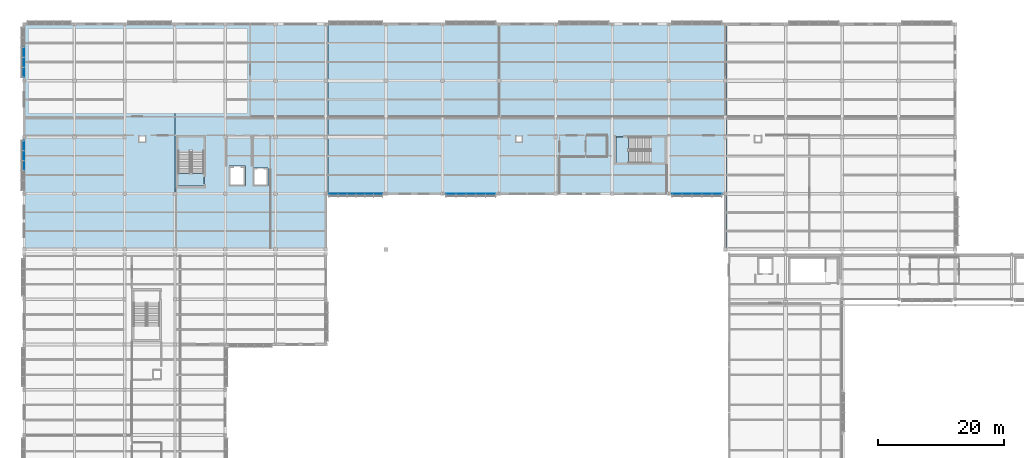
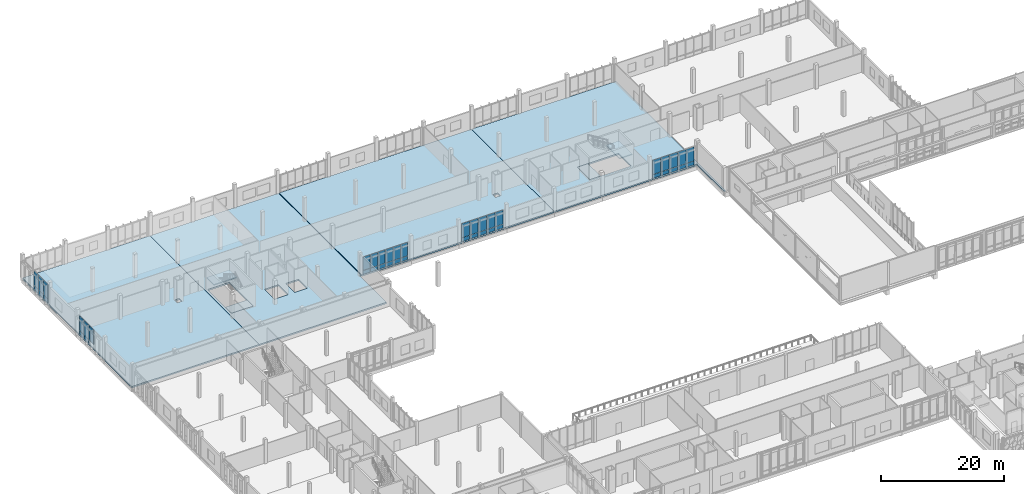
# One storey, part 137 of 177: 43 plates, 8 slabs, 7 elements without a shape of their own.
"""IFC4 building model written with IfcOpenShell, lengths in metres."""

from ifc_helpers import new_model, si_unit, direction, frame, origin, origin_2d, place, context, subcontext, project, spatial, polyline, rectangle, outline, extrude, material, layer, layer_set, type_object, element, aggregate, save


model = new_model("IFC4")

# Units and contexts
model_context = context("Model", 3, precision=1e-05, world=origin(), true_north=direction((0.0, 1.0)))
body_context = subcontext(model_context, "Body", "Model", "MODEL_VIEW")
ifc_project = project(units=[si_unit("LENGTHUNIT", "METRE"), si_unit("AREAUNIT", "SQUARE_METRE"), si_unit("VOLUMEUNIT", "CUBIC_METRE"), si_unit("PLANEANGLEUNIT", "RADIAN"), si_unit("MASSUNIT", "GRAM", prefix="KILO")], contexts=[model_context])

# Site, building, storey
site_placement = place(None, origin())
site = spatial("IfcSite", under=ifc_project, at=site_placement, CompositionType="ELEMENT")
building_placement = place(site_placement, origin())
building = spatial("IfcBuilding", under=site, at=building_placement, Name="Chiffa Square Polytechnic", CompositionType="ELEMENT")
storey_placement = place(building_placement, frame((0.0, 0.0, 4.800048828125)))
storey = spatial("IfcBuildingStorey", under=building, at=storey_placement, Name="L01", CompositionType="ELEMENT", Elevation=4.800048828125)

# Curtain wall, plates
ifc_material_1 = material(Name="Aluminium EN AW-6060 T66 and glulam shading", Category="wood")
curtain_wall_type_1 = type_object("IfcCurtainWallType", Name="CW-VERT-600X440", PredefinedType="USERDEFINED", material=ifc_material_1)
curtain_wall_1_placement = place(storey_placement, origin())
curtain_wall_1 = element("IfcCurtainWall", 1, at=curtain_wall_1_placement, inside=storey, type_object=curtain_wall_type_1, Name="Curtain wall CW-V5-L01-201", ObjectType="CURTAIN WALL", PredefinedType="USERDEFINED")
ifc_material_2 = material(Name="Double glazing", Category="glass")
ifc_layer_1 = layer(ifc_material_2, 0.0419921875, Name="Double glazing")
ifc_layer_set_1 = layer_set([ifc_layer_1], Name="Double glazing")
plate_type_1 = type_object("IfcPlateType", Name="CWP-GLZ-136X122", PredefinedType="CURTAIN_PANEL", material=ifc_layer_set_1)
plate_1_placement = place(storey_placement, frame((103.943115234375, 103.800048828125, 0.84033203125), z_axis=(0.0, 0.0, 1.0), x_axis=(1.0, 0.0, 0.0)))
plate_1 = element("IfcPlate", 2, at=plate_1_placement, type_object=plate_type_1, Name="Glazed curtain panel CW-V5-L01-201-PN01", PredefinedType="CURTAIN_PANEL", context=body_context, shape_type="SweptSolid", body=[
    extrude(rectangle(XDim=1.510009765625, YDim=0.0419921875, at=origin_2d()), origin(), (0.0, 0.0, 1.0), 2.824951171875),
])
plate_2_placement = place(storey_placement, frame((105.51611328125, 103.800048828125, 0.84033203125), z_axis=(0.0, 0.0, 1.0), x_axis=(1.0, 0.0, 0.0)))
plate_2 = element("IfcPlate", 3, at=plate_2_placement, type_object=plate_type_1, Name="Glazed curtain panel CW-V5-L01-201-PN02", PredefinedType="CURTAIN_PANEL", context=body_context, shape_type="SweptSolid", body=[
    extrude(rectangle(XDim=1.531982421875, YDim=0.0419921875, at=origin_2d()), origin(), (0.0, 0.0, 1.0), 2.824951171875),
])
plate_3_placement = place(storey_placement, frame((107.10009765625, 103.800048828125, 0.84033203125), z_axis=(0.0, 0.0, 1.0), x_axis=(1.0, 0.0, 0.0)))
plate_3 = element("IfcPlate", 4, at=plate_3_placement, type_object=plate_type_1, Name="Glazed curtain panel CW-V5-L01-201-PN03", PredefinedType="CURTAIN_PANEL", context=body_context, shape_type="SweptSolid", body=[
    extrude(rectangle(XDim=1.531982421875, YDim=0.0419921875, at=origin_2d()), origin(), (0.0, 0.0, 1.0), 2.824951171875),
])
plate_4_placement = place(storey_placement, frame((108.68408203125, 103.800048828125, 0.84033203125), z_axis=(0.0, 0.0, 1.0), x_axis=(1.0, 0.0, 0.0)))
plate_4 = element("IfcPlate", 5, at=plate_4_placement, type_object=plate_type_1, Name="Glazed curtain panel CW-V5-L01-201-PN04", PredefinedType="CURTAIN_PANEL", context=body_context, shape_type="SweptSolid", body=[
    extrude(rectangle(XDim=1.531982421875, YDim=0.0419921875, at=origin_2d()), origin(), (0.0, 0.0, 1.0), 2.824951171875),
])
plate_5_placement = place(storey_placement, frame((110.257080078125, 103.800048828125, 0.84033203125), z_axis=(0.0, 0.0, 1.0), x_axis=(1.0, 0.0, 0.0)))
plate_5 = element("IfcPlate", 6, at=plate_5_placement, type_object=plate_type_1, Name="Glazed curtain panel CW-V5-L01-201-PN05", PredefinedType="CURTAIN_PANEL", context=body_context, shape_type="SweptSolid", body=[
    extrude(rectangle(XDim=1.510009765625, YDim=0.0419921875, at=origin_2d()), origin(), (0.0, 0.0, 1.0), 2.824951171875),
])

curtain_wall_type_2 = type_object("IfcCurtainWallType", Name="CW-VERT-450X440", PredefinedType="USERDEFINED", material=ifc_material_1)
curtain_wall_2_placement = place(storey_placement, origin())
curtain_wall_2 = element("IfcCurtainWall", 7, at=curtain_wall_2_placement, inside=storey, type_object=curtain_wall_type_2, Name="Curtain wall CW-V5-L01-200", ObjectType="CURTAIN WALL", PredefinedType="USERDEFINED")
ifc_layer_2 = layer(ifc_material_2, 0.0419921875, Name="Double glazing")
ifc_layer_set_2 = layer_set([ifc_layer_2], Name="Double glazing")
plate_type_2 = type_object("IfcPlateType", Name="CWP-GLZ-138X126", PredefinedType="CURTAIN_PANEL", material=ifc_layer_set_2)
plate_6_placement = place(storey_placement, frame((67.943115234375, 103.800048828125, 0.84033203125), z_axis=(0.0, 0.0, 1.0), x_axis=(1.0, 0.0, 0.0)))
plate_6 = element("IfcPlate", 8, at=plate_6_placement, type_object=plate_type_2, Name="Glazed curtain panel CW-V5-L01-200-PN01", PredefinedType="CURTAIN_PANEL", context=body_context, shape_type="SweptSolid", body=[
    extrude(rectangle(XDim=1.510009765625, YDim=0.0419921875, at=origin_2d()), origin(), (0.0, 0.0, 1.0), 2.824951171875),
])
plate_7_placement = place(storey_placement, frame((69.51611328125, 103.800048828125, 0.84033203125), z_axis=(0.0, 0.0, 1.0), x_axis=(1.0, 0.0, 0.0)))
plate_7 = element("IfcPlate", 9, at=plate_7_placement, type_object=plate_type_2, Name="Glazed curtain panel CW-V5-L01-200-PN02", PredefinedType="CURTAIN_PANEL", context=body_context, shape_type="SweptSolid", body=[
    extrude(rectangle(XDim=1.531982421875, YDim=0.0419921875, at=origin_2d()), origin(), (0.0, 0.0, 1.0), 2.824951171875),
])
plate_8_placement = place(storey_placement, frame((71.10009765625, 103.800048828125, 0.84033203125), z_axis=(0.0, 0.0, 1.0), x_axis=(1.0, 0.0, 0.0)))
plate_8 = element("IfcPlate", 10, at=plate_8_placement, type_object=plate_type_2, Name="Glazed curtain panel CW-V5-L01-200-PN03", PredefinedType="CURTAIN_PANEL", context=body_context, shape_type="SweptSolid", body=[
    extrude(rectangle(XDim=1.531982421875, YDim=0.0419921875, at=origin_2d()), origin(), (0.0, 0.0, 1.0), 2.824951171875),
])
plate_9_placement = place(storey_placement, frame((72.68408203125, 103.800048828125, 0.84033203125), z_axis=(0.0, 0.0, 1.0), x_axis=(1.0, 0.0, 0.0)))
plate_9 = element("IfcPlate", 11, at=plate_9_placement, type_object=plate_type_2, Name="Glazed curtain panel CW-V5-L01-200-PN04", PredefinedType="CURTAIN_PANEL", context=body_context, shape_type="SweptSolid", body=[
    extrude(rectangle(XDim=1.531982421875, YDim=0.0419921875, at=origin_2d()), origin(), (0.0, 0.0, 1.0), 2.824951171875),
])
plate_10_placement = place(storey_placement, frame((74.257080078125, 103.800048828125, 0.84033203125), z_axis=(0.0, 0.0, 1.0), x_axis=(1.0, 0.0, 0.0)))
plate_10 = element("IfcPlate", 12, at=plate_10_placement, type_object=plate_type_2, Name="Glazed curtain panel CW-V5-L01-200-PN05", PredefinedType="CURTAIN_PANEL", context=body_context, shape_type="SweptSolid", body=[
    extrude(rectangle(XDim=1.510009765625, YDim=0.0419921875, at=origin_2d()), origin(), (0.0, 0.0, 1.0), 2.824951171875),
])

curtain_wall_type_3 = type_object("IfcCurtainWallType", Name="CW-VERT-540X440", PredefinedType="USERDEFINED", material=ifc_material_1)
curtain_wall_3_placement = place(storey_placement, origin())
curtain_wall_3 = element("IfcCurtainWall", 13, at=curtain_wall_3_placement, inside=storey, type_object=curtain_wall_type_3, Name="Curtain wall CW-V5-L01-199", ObjectType="CURTAIN WALL", PredefinedType="USERDEFINED")
ifc_layer_3 = layer(ifc_material_2, 0.0400390625, Name="Double glazing")
ifc_layer_set_3 = layer_set([ifc_layer_3], Name="Double glazing")
plate_type_3 = type_object("IfcPlateType", Name="CWP-GLZ-140X130", PredefinedType="CURTAIN_PANEL", material=ifc_layer_set_3)
plate_11_placement = place(storey_placement, frame((49.260986328125, 103.800048828125, 0.84033203125), z_axis=(0.0, 0.0, 1.0), x_axis=(1.0, 0.0, 0.0)))
plate_11 = element("IfcPlate", 14, at=plate_11_placement, type_object=plate_type_3, Name="Glazed curtain panel CW-V5-L01-199-PN01", PredefinedType="CURTAIN_PANEL", context=body_context, shape_type="SweptSolid", body=[
    extrude(rectangle(XDim=1.345947265625, YDim=0.0400390625, at=origin_2d()), origin(), (0.0, 0.0, 1.0), 2.675048828125),
])
plate_12_placement = place(storey_placement, frame((50.669921875, 103.800048828125, 0.84033203125), z_axis=(0.0, 0.0, 1.0), x_axis=(1.0, 0.0, 0.0)))
plate_12 = element("IfcPlate", 15, at=plate_12_placement, type_object=plate_type_3, Name="Glazed curtain panel CW-V5-L01-199-PN02", PredefinedType="CURTAIN_PANEL", context=body_context, shape_type="SweptSolid", body=[
    extrude(rectangle(XDim=1.367919921875, YDim=0.0400390625, at=origin_2d()), origin(), (0.0, 0.0, 1.0), 2.675048828125),
])
plate_13_placement = place(storey_placement, frame((52.090087890625, 103.800048828125, 0.84033203125), z_axis=(0.0, 0.0, 1.0), x_axis=(1.0, 0.0, 0.0)))
plate_13 = element("IfcPlate", 16, at=plate_13_placement, type_object=plate_type_3, Name="Glazed curtain panel CW-V5-L01-199-PN03", PredefinedType="CURTAIN_PANEL", context=body_context, shape_type="SweptSolid", body=[
    extrude(rectangle(XDim=1.367919921875, YDim=0.0400390625, at=origin_2d()), origin(), (0.0, 0.0, 1.0), 2.675048828125),
])
plate_14_placement = place(storey_placement, frame((53.510009765625, 103.800048828125, 0.84033203125), z_axis=(0.0, 0.0, 1.0), x_axis=(1.0, 0.0, 0.0)))
plate_14 = element("IfcPlate", 17, at=plate_14_placement, type_object=plate_type_3, Name="Glazed curtain panel CW-V5-L01-199-PN04", PredefinedType="CURTAIN_PANEL", context=body_context, shape_type="SweptSolid", body=[
    extrude(rectangle(XDim=1.367919921875, YDim=0.0400390625, at=origin_2d()), origin(), (0.0, 0.0, 1.0), 2.675048828125),
])
plate_15_placement = place(storey_placement, frame((54.929931640625, 103.800048828125, 0.84033203125), z_axis=(0.0, 0.0, 1.0), x_axis=(1.0, 0.0, 0.0)))
plate_15 = element("IfcPlate", 18, at=plate_15_placement, type_object=plate_type_3, Name="Glazed curtain panel CW-V5-L01-199-PN05", PredefinedType="CURTAIN_PANEL", context=body_context, shape_type="SweptSolid", body=[
    extrude(rectangle(XDim=1.367919921875, YDim=0.0400390625, at=origin_2d()), origin(), (0.0, 0.0, 1.0), 2.675048828125),
])
plate_16_placement = place(storey_placement, frame((56.339111328125, 103.800048828125, 0.84033203125), z_axis=(0.0, 0.0, 1.0), x_axis=(1.0, 0.0, 0.0)))
plate_16 = element("IfcPlate", 19, at=plate_16_placement, type_object=plate_type_3, Name="Glazed curtain panel CW-V5-L01-199-PN06", PredefinedType="CURTAIN_PANEL", context=body_context, shape_type="SweptSolid", body=[
    extrude(rectangle(XDim=1.345947265625, YDim=0.0400390625, at=origin_2d()), origin(), (0.0, 0.0, 1.0), 2.675048828125),
])

curtain_wall_type_4 = type_object("IfcCurtainWallType", Name="CW-VERT-600X380", PredefinedType="USERDEFINED", material=ifc_material_1)
curtain_wall_4_placement = place(storey_placement, origin())
curtain_wall_4 = element("IfcCurtainWall", 20, at=curtain_wall_4_placement, inside=storey, type_object=curtain_wall_type_4, Name="Curtain wall CW-V5-L01-212", ObjectType="CURTAIN WALL", PredefinedType="USERDEFINED")
ifc_layer_4 = layer(ifc_material_2, 0.0400390625, Name="Double glazing")
ifc_layer_set_4 = layer_set([ifc_layer_4], Name="Double glazing")
plate_type_4 = type_object("IfcPlateType", Name="CWP-GLZ-144X134", PredefinedType="CURTAIN_PANEL", material=ifc_layer_set_4)
plate_17_placement = place(storey_placement, frame((0.0, 111.45703125, 0.84033203125), z_axis=(0.0, 0.0, 1.0), x_axis=(0.0, -1.0, 0.0)))
plate_17 = element("IfcPlate", 21, at=plate_17_placement, type_object=plate_type_4, Name="Glazed curtain panel CW-V5-L01-212-PN01", PredefinedType="CURTAIN_PANEL", context=body_context, shape_type="SweptSolid", body=[
    extrude(rectangle(XDim=1.510009765625, YDim=0.0400390625, at=origin_2d()), origin(), (0.0, 0.0, 1.0), 2.925048828125),
])
plate_18_placement = place(storey_placement, frame((0.0, 109.884033203125, 0.84033203125), z_axis=(0.0, 0.0, 1.0), x_axis=(0.0, -1.0, 0.0)))
plate_18 = element("IfcPlate", 22, at=plate_18_placement, type_object=plate_type_4, Name="Glazed curtain panel CW-V5-L01-212-PN02", PredefinedType="CURTAIN_PANEL", context=body_context, shape_type="SweptSolid", body=[
    extrude(rectangle(XDim=1.531982421875, YDim=0.0400390625, at=origin_2d()), origin(), (0.0, 0.0, 1.0), 2.925048828125),
])
plate_19_placement = place(storey_placement, frame((0.0, 108.300048828125, 0.84033203125), z_axis=(0.0, 0.0, 1.0), x_axis=(0.0, -1.0, 0.0)))
plate_19 = element("IfcPlate", 23, at=plate_19_placement, type_object=plate_type_4, Name="Glazed curtain panel CW-V5-L01-212-PN03", PredefinedType="CURTAIN_PANEL", context=body_context, shape_type="SweptSolid", body=[
    extrude(rectangle(XDim=1.531982421875, YDim=0.0400390625, at=origin_2d()), origin(), (0.0, 0.0, 1.0), 2.925048828125),
])

curtain_wall_type_5 = type_object("IfcCurtainWallType", Name="CW-VERT-300X380", PredefinedType="USERDEFINED", material=ifc_material_1)
curtain_wall_5_placement = place(storey_placement, origin())
curtain_wall_5 = element("IfcCurtainWall", 24, at=curtain_wall_5_placement, inside=storey, type_object=curtain_wall_type_5, Name="Curtain wall CW-V5-L01-211", ObjectType="CURTAIN WALL", PredefinedType="USERDEFINED")
ifc_layer_5 = layer(ifc_material_2, 0.0380859375, Name="Double glazing")
ifc_layer_set_5 = layer_set([ifc_layer_5], Name="Double glazing")
plate_type_5 = type_object("IfcPlateType", Name="CWP-GLZ-146X138", PredefinedType="CURTAIN_PANEL", material=ifc_layer_set_5)
plate_20_placement = place(storey_placement, frame((0.0, 126.300048828125, 0.84033203125), z_axis=(0.0, 0.0, 1.0), x_axis=(0.0, -1.0, 0.0)))
plate_20 = element("IfcPlate", 25, at=plate_20_placement, type_object=plate_type_5, Name="Glazed curtain panel CW-V5-L01-211-PN03", PredefinedType="CURTAIN_PANEL", context=body_context, shape_type="SweptSolid", body=[
    extrude(rectangle(XDim=1.531982421875, YDim=0.0380859375, at=origin_2d()), origin(), (0.0, 0.0, 1.0), 2.925048828125),
])
plate_21_placement = place(storey_placement, frame((0.0, 124.716064453125, 0.84033203125), z_axis=(0.0, 0.0, 1.0), x_axis=(0.0, -1.0, 0.0)))
plate_21 = element("IfcPlate", 26, at=plate_21_placement, type_object=plate_type_5, Name="Glazed curtain panel CW-V5-L01-211-PN04", PredefinedType="CURTAIN_PANEL", context=body_context, shape_type="SweptSolid", body=[
    extrude(rectangle(XDim=1.531982421875, YDim=0.0380859375, at=origin_2d()), origin(), (0.0, 0.0, 1.0), 2.925048828125),
])
plate_22_placement = place(storey_placement, frame((0.0, 123.14306640625, 0.84033203125), z_axis=(0.0, 0.0, 1.0), x_axis=(0.0, -1.0, 0.0)))
plate_22 = element("IfcPlate", 27, at=plate_22_placement, type_object=plate_type_5, Name="Glazed curtain panel CW-V5-L01-211-PN05", PredefinedType="CURTAIN_PANEL", context=body_context, shape_type="SweptSolid", body=[
    extrude(rectangle(XDim=1.510009765625, YDim=0.0380859375, at=origin_2d()), origin(), (0.0, 0.0, 1.0), 2.925048828125),
])

# Plate
ifc_material_3 = material(Name="Aluminium insulated spandrel", Category="aluminium")
ifc_layer_6 = layer(ifc_material_3, 0.070068359375, Name="Aluminium insulated spandrel")
ifc_layer_set_6 = layer_set([ifc_layer_6], Name="Aluminium insulated spandrel")
plate_type_6 = type_object("IfcPlateType", Name="CWP-SPN-138X074", PredefinedType="SHEET", material=ifc_layer_set_6)
plate_23_placement = place(storey_placement, frame((0.0, 111.45703125, 0.050048828125), z_axis=(0.0, 0.0, 1.0), x_axis=(0.0, -1.0, 0.0)))
plate_23 = element("IfcPlate", 28, at=plate_23_placement, type_object=plate_type_6, Name="Spandrel panel CW-V5-L01-212-SP01", PredefinedType="SHEET", context=body_context, shape_type="SweptSolid", body=[
    extrude(rectangle(XDim=1.510009765625, YDim=0.070068359375, at=origin_2d()), origin(), (0.0, 0.0, 1.0), 0.75),
])

plate_24_placement = place(storey_placement, frame((0.0, 109.884033203125, 0.050048828125), z_axis=(0.0, 0.0, 1.0), x_axis=(0.0, -1.0, 0.0)))
plate_24 = element("IfcPlate", 29, at=plate_24_placement, type_object=plate_type_6, Name="Spandrel panel CW-V5-L01-212-SP02", PredefinedType="SHEET", context=body_context, shape_type="SweptSolid", body=[
    extrude(rectangle(XDim=1.531982421875, YDim=0.070068359375, at=origin_2d()), origin(), (0.0, 0.0, 1.0), 0.75),
])

aggregate(curtain_wall_4, [plate_23, plate_17, plate_24, plate_18, plate_19])

ifc_layer_7 = layer(ifc_material_3, 0.068115234375, Name="Aluminium insulated spandrel")
ifc_layer_set_7 = layer_set([ifc_layer_7], Name="Aluminium insulated spandrel")
plate_type_7 = type_object("IfcPlateType", Name="CWP-SPN-140X076", PredefinedType="SHEET", material=ifc_layer_set_7)
plate_25_placement = place(storey_placement, frame((0.0, 126.300048828125, 0.050048828125), z_axis=(0.0, 0.0, 1.0), x_axis=(0.0, -1.0, 0.0)))
plate_25 = element("IfcPlate", 30, at=plate_25_placement, type_object=plate_type_7, Name="Spandrel panel CW-V5-L01-211-SP03", PredefinedType="SHEET", context=body_context, shape_type="SweptSolid", body=[
    extrude(rectangle(XDim=1.531982421875, YDim=0.068115234375, at=origin_2d()), origin(), (0.0, 0.0, 1.0), 0.75),
])

plate_26_placement = place(storey_placement, frame((0.0, 124.716064453125, 0.050048828125), z_axis=(0.0, 0.0, 1.0), x_axis=(0.0, -1.0, 0.0)))
plate_26 = element("IfcPlate", 31, at=plate_26_placement, type_object=plate_type_7, Name="Spandrel panel CW-V5-L01-211-SP04", PredefinedType="SHEET", context=body_context, shape_type="SweptSolid", body=[
    extrude(rectangle(XDim=1.531982421875, YDim=0.068115234375, at=origin_2d()), origin(), (0.0, 0.0, 1.0), 0.75),
])

plate_27_placement = place(storey_placement, frame((0.0, 123.14306640625, 0.050048828125), z_axis=(0.0, 0.0, 1.0), x_axis=(0.0, -1.0, 0.0)))
plate_27 = element("IfcPlate", 32, at=plate_27_placement, type_object=plate_type_7, Name="Spandrel panel CW-V5-L01-211-SP05", PredefinedType="SHEET", context=body_context, shape_type="SweptSolid", body=[
    extrude(rectangle(XDim=1.510009765625, YDim=0.068115234375, at=origin_2d()), origin(), (0.0, 0.0, 1.0), 0.75),
])

aggregate(curtain_wall_5, [plate_25, plate_20, plate_26, plate_21, plate_27, plate_22])

ifc_layer_8 = layer(ifc_material_3, 0.06396484375, Name="Aluminium insulated spandrel")
ifc_layer_set_8 = layer_set([ifc_layer_8], Name="Aluminium insulated spandrel")
plate_type_8 = type_object("IfcPlateType", Name="CWP-SPN-146X082", PredefinedType="SHEET", material=ifc_layer_set_8)
plate_28_placement = place(storey_placement, frame((103.943115234375, 103.800048828125, 0.050048828125), z_axis=(0.0, 0.0, 1.0), x_axis=(1.0, 0.0, 0.0)))
plate_28 = element("IfcPlate", 33, at=plate_28_placement, type_object=plate_type_8, Name="Spandrel panel CW-V5-L01-201-SP01", PredefinedType="SHEET", context=body_context, shape_type="SweptSolid", body=[
    extrude(rectangle(XDim=1.510009765625, YDim=0.06396484375, at=origin_2d()), origin(), (0.0, 0.0, 1.0), 0.75),
])

plate_29_placement = place(storey_placement, frame((105.51611328125, 103.800048828125, 0.050048828125), z_axis=(0.0, 0.0, 1.0), x_axis=(1.0, 0.0, 0.0)))
plate_29 = element("IfcPlate", 34, at=plate_29_placement, type_object=plate_type_8, Name="Spandrel panel CW-V5-L01-201-SP02", PredefinedType="SHEET", context=body_context, shape_type="SweptSolid", body=[
    extrude(rectangle(XDim=1.531982421875, YDim=0.06396484375, at=origin_2d()), origin(), (0.0, 0.0, 1.0), 0.75),
])

plate_30_placement = place(storey_placement, frame((107.10009765625, 103.800048828125, 0.050048828125), z_axis=(0.0, 0.0, 1.0), x_axis=(1.0, 0.0, 0.0)))
plate_30 = element("IfcPlate", 35, at=plate_30_placement, type_object=plate_type_8, Name="Spandrel panel CW-V5-L01-201-SP03", PredefinedType="SHEET", context=body_context, shape_type="SweptSolid", body=[
    extrude(rectangle(XDim=1.531982421875, YDim=0.06396484375, at=origin_2d()), origin(), (0.0, 0.0, 1.0), 0.75),
])

plate_31_placement = place(storey_placement, frame((108.68408203125, 103.800048828125, 0.050048828125), z_axis=(0.0, 0.0, 1.0), x_axis=(1.0, 0.0, 0.0)))
plate_31 = element("IfcPlate", 36, at=plate_31_placement, type_object=plate_type_8, Name="Spandrel panel CW-V5-L01-201-SP04", PredefinedType="SHEET", context=body_context, shape_type="SweptSolid", body=[
    extrude(rectangle(XDim=1.531982421875, YDim=0.06396484375, at=origin_2d()), origin(), (0.0, 0.0, 1.0), 0.75),
])

plate_32_placement = place(storey_placement, frame((110.257080078125, 103.800048828125, 0.050048828125), z_axis=(0.0, 0.0, 1.0), x_axis=(1.0, 0.0, 0.0)))
plate_32 = element("IfcPlate", 37, at=plate_32_placement, type_object=plate_type_8, Name="Spandrel panel CW-V5-L01-201-SP05", PredefinedType="SHEET", context=body_context, shape_type="SweptSolid", body=[
    extrude(rectangle(XDim=1.510009765625, YDim=0.06396484375, at=origin_2d()), origin(), (0.0, 0.0, 1.0), 0.75),
])

aggregate(curtain_wall_1, [plate_28, plate_1, plate_29, plate_2, plate_30, plate_3, plate_31, plate_4, plate_32, plate_5])

ifc_layer_9 = layer(ifc_material_3, 0.06201171875, Name="Aluminium insulated spandrel")
ifc_layer_set_9 = layer_set([ifc_layer_9], Name="Aluminium insulated spandrel")
plate_type_9 = type_object("IfcPlateType", Name="CWP-SPN-148X084", PredefinedType="SHEET", material=ifc_layer_set_9)
plate_33_placement = place(storey_placement, frame((67.943115234375, 103.800048828125, 0.050048828125), z_axis=(0.0, 0.0, 1.0), x_axis=(1.0, 0.0, 0.0)))
plate_33 = element("IfcPlate", 38, at=plate_33_placement, type_object=plate_type_9, Name="Spandrel panel CW-V5-L01-200-SP01", PredefinedType="SHEET", context=body_context, shape_type="SweptSolid", body=[
    extrude(rectangle(XDim=1.510009765625, YDim=0.06201171875, at=origin_2d()), origin(), (0.0, 0.0, 1.0), 0.75),
])

plate_34_placement = place(storey_placement, frame((69.51611328125, 103.800048828125, 0.050048828125), z_axis=(0.0, 0.0, 1.0), x_axis=(1.0, 0.0, 0.0)))
plate_34 = element("IfcPlate", 39, at=plate_34_placement, type_object=plate_type_9, Name="Spandrel panel CW-V5-L01-200-SP02", PredefinedType="SHEET", context=body_context, shape_type="SweptSolid", body=[
    extrude(rectangle(XDim=1.531982421875, YDim=0.06201171875, at=origin_2d()), origin(), (0.0, 0.0, 1.0), 0.75),
])

plate_35_placement = place(storey_placement, frame((71.10009765625, 103.800048828125, 0.050048828125), z_axis=(0.0, 0.0, 1.0), x_axis=(1.0, 0.0, 0.0)))
plate_35 = element("IfcPlate", 40, at=plate_35_placement, type_object=plate_type_9, Name="Spandrel panel CW-V5-L01-200-SP03", PredefinedType="SHEET", context=body_context, shape_type="SweptSolid", body=[
    extrude(rectangle(XDim=1.531982421875, YDim=0.06201171875, at=origin_2d()), origin(), (0.0, 0.0, 1.0), 0.75),
])

plate_36_placement = place(storey_placement, frame((72.68408203125, 103.800048828125, 0.050048828125), z_axis=(0.0, 0.0, 1.0), x_axis=(1.0, 0.0, 0.0)))
plate_36 = element("IfcPlate", 41, at=plate_36_placement, type_object=plate_type_9, Name="Spandrel panel CW-V5-L01-200-SP04", PredefinedType="SHEET", context=body_context, shape_type="SweptSolid", body=[
    extrude(rectangle(XDim=1.531982421875, YDim=0.06201171875, at=origin_2d()), origin(), (0.0, 0.0, 1.0), 0.75),
])

plate_37_placement = place(storey_placement, frame((74.257080078125, 103.800048828125, 0.050048828125), z_axis=(0.0, 0.0, 1.0), x_axis=(1.0, 0.0, 0.0)))
plate_37 = element("IfcPlate", 42, at=plate_37_placement, type_object=plate_type_9, Name="Spandrel panel CW-V5-L01-200-SP05", PredefinedType="SHEET", context=body_context, shape_type="SweptSolid", body=[
    extrude(rectangle(XDim=1.510009765625, YDim=0.06201171875, at=origin_2d()), origin(), (0.0, 0.0, 1.0), 0.75),
])

aggregate(curtain_wall_2, [plate_33, plate_6, plate_34, plate_7, plate_35, plate_8, plate_36, plate_9, plate_37, plate_10])

ifc_layer_10 = layer(ifc_material_3, 0.06005859375, Name="Aluminium insulated spandrel")
ifc_layer_set_10 = layer_set([ifc_layer_10], Name="Aluminium insulated spandrel")
plate_type_10 = type_object("IfcPlateType", Name="CWP-SPN-150X080", PredefinedType="SHEET", material=ifc_layer_set_10)
plate_38_placement = place(storey_placement, frame((49.260986328125, 103.800048828125, 0.050048828125), z_axis=(0.0, 0.0, 1.0), x_axis=(1.0, 0.0, 0.0)))
plate_38 = element("IfcPlate", 43, at=plate_38_placement, type_object=plate_type_10, Name="Spandrel panel CW-V5-L01-199-SP01", PredefinedType="SHEET", context=body_context, shape_type="SweptSolid", body=[
    extrude(rectangle(XDim=1.345947265625, YDim=0.06005859375, at=origin_2d()), origin(), (0.0, 0.0, 1.0), 0.75),
])

plate_39_placement = place(storey_placement, frame((50.669921875, 103.800048828125, 0.050048828125), z_axis=(0.0, 0.0, 1.0), x_axis=(1.0, 0.0, 0.0)))
plate_39 = element("IfcPlate", 44, at=plate_39_placement, type_object=plate_type_10, Name="Spandrel panel CW-V5-L01-199-SP02", PredefinedType="SHEET", context=body_context, shape_type="SweptSolid", body=[
    extrude(rectangle(XDim=1.367919921875, YDim=0.06005859375, at=origin_2d()), origin(), (0.0, 0.0, 1.0), 0.75),
])

plate_40_placement = place(storey_placement, frame((52.090087890625, 103.800048828125, 0.050048828125), z_axis=(0.0, 0.0, 1.0), x_axis=(1.0, 0.0, 0.0)))
plate_40 = element("IfcPlate", 45, at=plate_40_placement, type_object=plate_type_10, Name="Spandrel panel CW-V5-L01-199-SP03", PredefinedType="SHEET", context=body_context, shape_type="SweptSolid", body=[
    extrude(rectangle(XDim=1.367919921875, YDim=0.06005859375, at=origin_2d()), origin(), (0.0, 0.0, 1.0), 0.75),
])

plate_41_placement = place(storey_placement, frame((53.510009765625, 103.800048828125, 0.050048828125), z_axis=(0.0, 0.0, 1.0), x_axis=(1.0, 0.0, 0.0)))
plate_41 = element("IfcPlate", 46, at=plate_41_placement, type_object=plate_type_10, Name="Spandrel panel CW-V5-L01-199-SP04", PredefinedType="SHEET", context=body_context, shape_type="SweptSolid", body=[
    extrude(rectangle(XDim=1.367919921875, YDim=0.06005859375, at=origin_2d()), origin(), (0.0, 0.0, 1.0), 0.75),
])

plate_42_placement = place(storey_placement, frame((54.929931640625, 103.800048828125, 0.050048828125), z_axis=(0.0, 0.0, 1.0), x_axis=(1.0, 0.0, 0.0)))
plate_42 = element("IfcPlate", 47, at=plate_42_placement, type_object=plate_type_10, Name="Spandrel panel CW-V5-L01-199-SP05", PredefinedType="SHEET", context=body_context, shape_type="SweptSolid", body=[
    extrude(rectangle(XDim=1.367919921875, YDim=0.06005859375, at=origin_2d()), origin(), (0.0, 0.0, 1.0), 0.75),
])

plate_43_placement = place(storey_placement, frame((56.339111328125, 103.800048828125, 0.050048828125), z_axis=(0.0, 0.0, 1.0), x_axis=(1.0, 0.0, 0.0)))
plate_43 = element("IfcPlate", 48, at=plate_43_placement, type_object=plate_type_10, Name="Spandrel panel CW-V5-L01-199-SP06", PredefinedType="SHEET", context=body_context, shape_type="SweptSolid", body=[
    extrude(rectangle(XDim=1.345947265625, YDim=0.06005859375, at=origin_2d()), origin(), (0.0, 0.0, 1.0), 0.75),
])

aggregate(curtain_wall_3, [plate_38, plate_11, plate_39, plate_12, plate_40, plate_13, plate_41, plate_14, plate_42, plate_15, plate_43, plate_16])

# Slabs
ifc_material_4 = material(Name="Concrete C35/45", Category="concrete")
ifc_layer_11 = layer(ifc_material_4, 0.280029296875, Name="Concrete C35/45")
ifc_layer_set_11 = layer_set([ifc_layer_11], Name="Concrete C35/45")
slab_type_1 = type_object("IfcSlabType", Name="SLB-FLR-280", PredefinedType="FLOOR", material=ifc_layer_set_11)
slab_1_placement = place(storey_placement, frame((0.0, 0.0, -0.280029296875)))
element("IfcSlab", 49, at=slab_1_placement, inside=storey, type_object=slab_type_1, Name="V5 L01 structural slab SLB-V5-L01-028", PredefinedType="FLOOR", context=body_context, shape_type="SweptSolid", body=[
    extrude(outline(polyline([(0.0, 95.050048828125), (0.0, 130.800048828125), (24.0, 130.800048828125), (24.0, 95.050048828125), (0.0, 95.050048828125)]), holes=[polyline([(18.35009765625, 112.89990234375), (19.25, 112.89990234375), (19.25, 112.050048828125), (18.35009765625, 112.050048828125), (18.35009765625, 112.89990234375)])]), origin(), (0.0, 0.0, 1.0), 0.280029296875),
])
slab_2_placement = place(storey_placement, frame((0.0, 0.0, -0.280029296875)))
element("IfcSlab", 50, at=slab_2_placement, inside=storey, type_object=slab_type_1, Name="V5 L01 structural slab SLB-V5-L01-029", PredefinedType="FLOOR", context=body_context, shape_type="SweptSolid", body=[
    extrude(outline(polyline([(48.0, 103.800048828125), (48.0, 95.050048828125), (24.0, 95.050048828125), (24.0, 130.800048828125), (48.25, 130.800048828125), (48.25, 103.800048828125), (48.0, 103.800048828125)]), holes=[polyline([(24.5, 105.0), (24.5, 112.800048828125), (28.60009765625, 112.800048828125), (28.60009765625, 105.0), (24.5, 105.0)]), polyline([(32.60009765625, 108.199951171875), (35.199951171875, 108.199951171875), (35.199951171875, 105.0), (32.60009765625, 105.0), (32.60009765625, 108.199951171875)]), polyline([(36.39990234375, 107.89990234375), (38.800048828125, 107.89990234375), (38.800048828125, 105.0), (36.39990234375, 105.0), (36.39990234375, 107.89990234375)])]), origin(), (0.0, 0.0, 1.0), 0.280029296875),
])
slab_3_placement = place(storey_placement, frame((0.0, 0.0, -0.280029296875)))
element("IfcSlab", 51, at=slab_3_placement, inside=storey, type_object=slab_type_1, Name="V5 L01 structural slab SLB-V5-L01-030", PredefinedType="FLOOR", context=body_context, shape_type="SweptSolid", body=[
    extrude(outline(polyline([(48.35009765625, 103.800048828125), (48.35009765625, 130.800048828125), (84.60009765625, 130.800048828125), (84.60009765625, 103.800048828125), (48.35009765625, 103.800048828125)]), holes=[polyline([(78.35009765625, 112.89990234375), (79.25, 112.89990234375), (79.25, 112.050048828125), (78.35009765625, 112.050048828125), (78.35009765625, 112.89990234375)])]), origin(), (0.0, 0.0, 1.0), 0.280029296875),
])
slab_4_placement = place(storey_placement, frame((0.0, 0.0, -0.280029296875)))
element("IfcSlab", 52, at=slab_4_placement, inside=storey, type_object=slab_type_1, Name="V5 L01 structural slab SLB-V5-L01-031", PredefinedType="FLOOR", context=body_context, shape_type="SweptSolid", body=[
    extrude(outline(polyline([(111.60009765625, 95.050048828125), (111.60009765625, 103.800048828125), (84.60009765625, 103.800048828125), (84.60009765625, 130.800048828125), (111.85009765625, 130.800048828125), (111.85009765625, 95.050048828125), (111.60009765625, 95.050048828125)]), holes=[polyline([(94.199951171875, 112.800048828125), (102.0, 112.800048828125), (102.0, 108.699951171875), (94.199951171875, 108.699951171875), (94.199951171875, 112.800048828125)])]), origin(), (0.0, 0.0, 1.0), 0.280029296875),
])
ifc_material_5 = material(Name="Concrete C40/50", Category="concrete")
ifc_layer_12 = layer(ifc_material_5, 0.35009765625, Name="Concrete C40/50")
ifc_layer_set_12 = layer_set([ifc_layer_12], Name="Concrete C40/50")
slab_type_2 = type_object("IfcSlabType", Name="SLB-FLR-350", PredefinedType="FLOOR", material=ifc_layer_set_12)
slab_5_placement = place(storey_placement, frame((0.0, 0.0, -0.35009765625)))
element("IfcSlab", 53, at=slab_5_placement, inside=storey, type_object=slab_type_2, Name="Stair core floor landing slab SLB-CORE-CORE-V5A-L01", PredefinedType="FLOOR", context=body_context, shape_type="SweptSolid", body=[
    extrude(outline(polyline([(28.60009765625, 105.0), (28.60009765625, 107.011962890625), (24.5, 107.011962890625), (24.5, 105.0), (28.60009765625, 105.0)])), origin(), (0.0, 0.0, 1.0), 0.35009765625),
])
slab_6_placement = place(storey_placement, frame((0.0, 0.0, -0.35009765625)))
element("IfcSlab", 54, at=slab_6_placement, inside=storey, type_object=slab_type_2, Name="Stair core floor landing slab SLB-CORE-CORE-V5B-L01", PredefinedType="FLOOR", context=body_context, shape_type="SweptSolid", body=[
    extrude(outline(polyline([(94.199951171875, 108.699951171875), (96.2119140625, 108.699951171875), (96.2119140625, 112.800048828125), (94.199951171875, 112.800048828125), (94.199951171875, 108.699951171875)])), origin(), (0.0, 0.0, 1.0), 0.35009765625),
])

# Stair, slab
stair_type = type_object("IfcStairType", Name="STAIR-DOG-1950", PredefinedType="HALF_TURN_STAIR", material=ifc_material_4)
stair_1_placement = place(storey_placement, origin())
stair_1 = element("IfcStair", 55, at=stair_1_placement, inside=storey, type_object=stair_type, Name="L01 Enclosed exit stair ST-V5A", PredefinedType="HALF_TURN_STAIR")
ifc_layer_13 = layer(ifc_material_4, 0.199951171875, Name="Concrete C35/45")
ifc_layer_set_13 = layer_set([ifc_layer_13], Name="Concrete C35/45")
slab_type_3 = type_object("IfcSlabType", Name="SLB-LND-200", PredefinedType="LANDING", material=ifc_layer_set_13)
slab_7_placement = place(storey_placement, frame((0.0, 0.0, 2.199951171875)))
slab_7 = element("IfcSlab", 56, at=slab_7_placement, type_object=slab_type_3, Name="ST-V5A landing 1", PredefinedType="LANDING", context=body_context, shape_type="SweptSolid", body=[
    extrude(outline(polyline([(28.719970703125, 110.52001953125), (24.3798828125, 110.52001953125), (24.3798828125, 112.919921875), (28.719970703125, 112.919921875), (28.719970703125, 110.52001953125)])), origin(), (0.0, 0.0, 1.0), 0.199951171875),
])
aggregate(stair_1, [slab_7])

stair_2_placement = place(storey_placement, origin())
stair_2 = element("IfcStair", 57, at=stair_2_placement, inside=storey, type_object=stair_type, Name="L01 Enclosed exit stair ST-V5B", PredefinedType="HALF_TURN_STAIR")
slab_8_placement = place(storey_placement, frame((0.0, 0.0, 2.199951171875)))
slab_8 = element("IfcSlab", 58, at=slab_8_placement, type_object=slab_type_3, Name="ST-V5B landing 1", PredefinedType="LANDING", context=body_context, shape_type="SweptSolid", body=[
    extrude(outline(polyline([(99.719970703125, 108.580078125), (99.719970703125, 112.919921875), (102.1201171875, 112.919921875), (102.1201171875, 108.580078125), (99.719970703125, 108.580078125)])), origin(), (0.0, 0.0, 1.0), 0.199951171875),
])
aggregate(stair_2, [slab_8])

save(model, "model.ifc")
